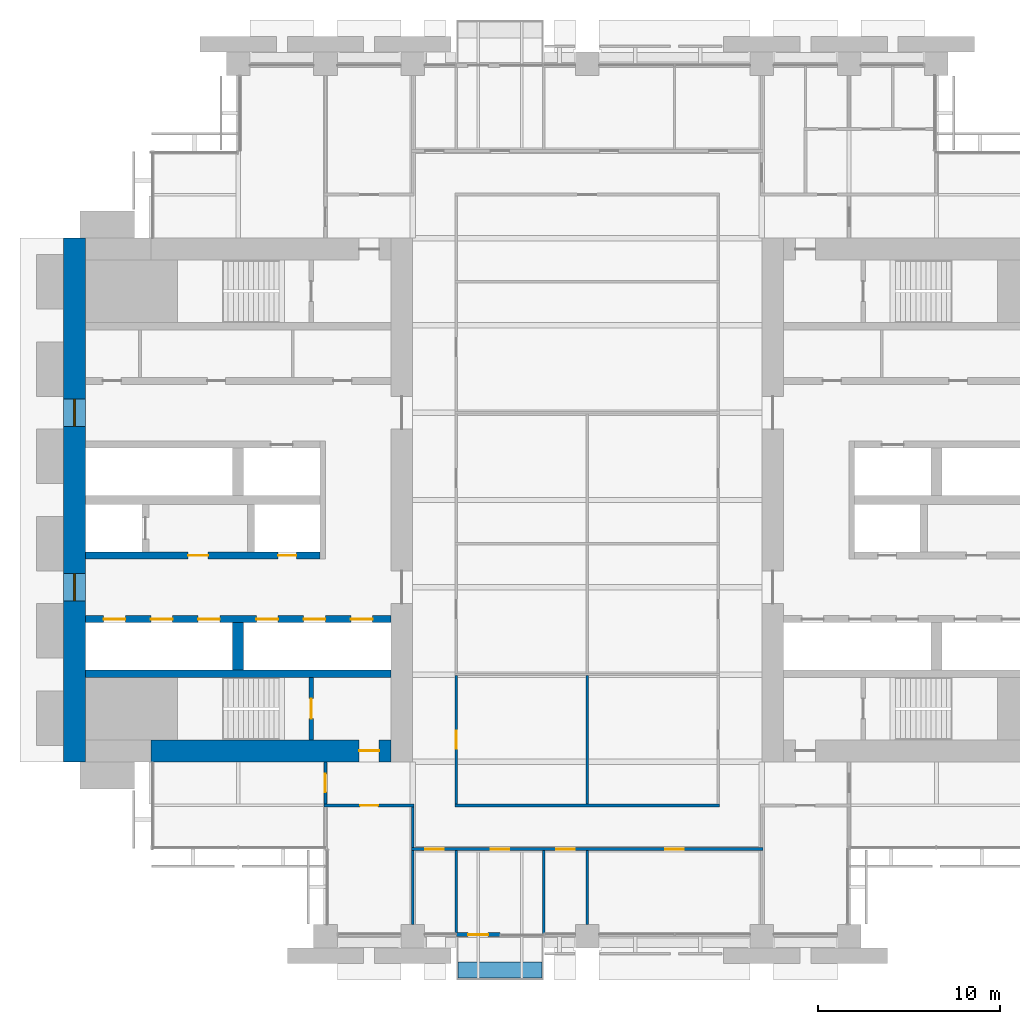
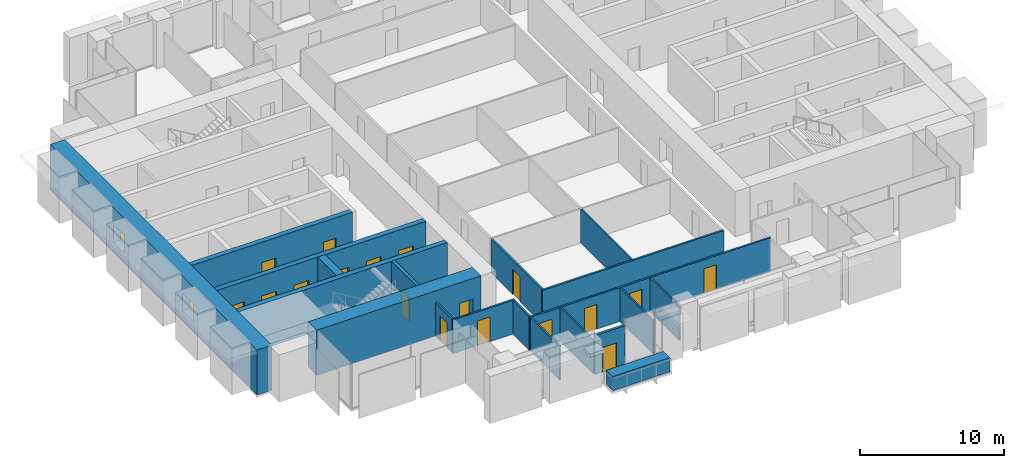
# One storey, part 9 of 15: 20 walls, 18 doors, 2 windows, 20 openings.
"""IFC4 building model written with IfcOpenShell, lengths in metres."""

import ifcopenshell
import ifcopenshell.guid

model = None  # the IFC model being written
_history = None  # IfcOwnerHistory: only IFC2X3 demands one
_inside = {}  # id of a spatial element -> (the spatial element, [elements in it])
_under = {}  # id of a project, library or spatial element -> (it, [spatial elements below it])
_declared = {}  # id of a project -> (the project, [libraries it declares])
_typed = {}  # id of a type object -> (the type object, [elements of that type])
_made_of = {}  # id of a material, layer set ... -> (it, [elements and type objects made of it])


def new_model(schema):
    """Start an empty IFC model of exactly this schema.

    Asked for "IFC4X3", IfcOpenShell would pick the latest addendum, in which some entities
    have other attributes; the version numbers below select the first issue.
    IFC2X3 requires an IfcOwnerHistory on every rooted entity: one is made here for all.
    """
    global model, _history
    if schema == "IFC4X3":
        model = ifcopenshell.file(schema_version=(4, 3, 0, 0))
    else:
        model = ifcopenshell.file(schema=schema)
    _inside.clear()
    _under.clear()
    _declared.clear()
    _typed.clear()
    _made_of.clear()
    _history = None
    if model.schema == "IFC2X3":
        org = make("IfcOrganization", Name="unknown")
        user = make(
            "IfcPersonAndOrganization",
            ThePerson=make("IfcPerson", FamilyName="unknown"),
            TheOrganization=org,
        )
        app = make(
            "IfcApplication",
            ApplicationDeveloper=org,
            Version="unknown",
            ApplicationFullName="unknown",
            ApplicationIdentifier="unknown",
        )
        _history = make(
            "IfcOwnerHistory",
            OwningUser=user,
            OwningApplication=app,
            ChangeAction="ADDED",
            CreationDate=0,
        )
    return model


def make(cls, **values):
    """One entity of the class cls with the attributes given. An attribute that is None is left unset."""
    return model.create_entity(
        cls, **{name: value for name, value in values.items() if value is not None}
    )


def rooted(cls, **values):
    """An entity with a GlobalId (a new one), such as an element, a storey or a relation."""
    return make(cls, GlobalId=ifcopenshell.guid.new(), OwnerHistory=_history, **values)


def si_unit(unit_type, name, prefix=None):
    """IfcSIUnit, for example si_unit("LENGTHUNIT", "METRE", prefix="MILLI")."""
    return make("IfcSIUnit", UnitType=unit_type, Prefix=prefix, Name=name)


def assignment(units):
    """IfcUnitAssignment: the units of a project."""
    return None if units is None else make("IfcUnitAssignment", Units=units)


def point(xyz):
    """IfcCartesianPoint."""
    return None if xyz is None else make("IfcCartesianPoint", Coordinates=xyz)


def direction(xyz):
    """IfcDirection."""
    return None if xyz is None else make("IfcDirection", DirectionRatios=xyz)


def frame(location, z_axis=None, x_axis=None):
    """IfcAxis2Placement3D, a coordinate frame: its origin and axes. An axis left out is left unset."""
    return make(
        "IfcAxis2Placement3D",
        Location=point(location),
        Axis=direction(z_axis),
        RefDirection=direction(x_axis),
    )


def frame_2d(location, x_axis=None):
    """IfcAxis2Placement2D, a coordinate frame in the plane: its origin and x axis."""
    return make(
        "IfcAxis2Placement2D", Location=point(location), RefDirection=direction(x_axis)
    )


def origin():
    """The frame at (0, 0, 0) with its axes left unset."""
    return frame((0.0, 0.0, 0.0))


def place(relative_to, where):
    """IfcLocalPlacement: puts the frame where relative to a parent placement (None: the world)."""
    return make(
        "IfcLocalPlacement", PlacementRelTo=relative_to, RelativePlacement=where
    )


def context(
    kind, dimensions, precision=None, world=None, true_north=None, identifier=None
):
    """IfcGeometricRepresentationContext, for example the 3D "Model" context."""
    return make(
        "IfcGeometricRepresentationContext",
        ContextIdentifier=identifier,
        ContextType=kind,
        CoordinateSpaceDimension=dimensions,
        Precision=precision,
        WorldCoordinateSystem=world,
        TrueNorth=true_north,
    )


def subcontext(parent, identifier, kind, view, scale=None):
    """IfcGeometricRepresentationSubContext, for example "Body" below "Model"."""
    return make(
        "IfcGeometricRepresentationSubContext",
        ContextIdentifier=identifier,
        ContextType=kind,
        ParentContext=parent,
        TargetScale=scale,
        TargetView=view,
    )


def project(units=None, contexts=None):
    """IfcProject with its units and contexts."""
    return rooted(
        "IfcProject",
        Name="project",
        RepresentationContexts=contexts,
        UnitsInContext=assignment(units),
    )


def spatial(cls, under=None, at=None, **own):
    """A site, building, storey or space (cls), placed at a placement, below another one or the project."""
    s = rooted(cls, ObjectPlacement=at, **own)
    if under is not None:
        _under.setdefault(under.id(), (under, []))[1].append(s)
    return s


def profile(cls, at=None, kind="AREA", **sizes):
    """A parametric profile (cls). Its sizes go by their IFC names, for example OverallWidth=200.0."""
    return make(cls, ProfileType=kind, Position=at, **sizes)


def rectangle(**sizes):
    """IfcRectangleProfileDef."""
    return profile("IfcRectangleProfileDef", **sizes)


def extrude(swept, where, along, depth):
    """IfcExtrudedAreaSolid: the profile swept, set in the frame where, extruded along a direction by depth."""
    return make(
        "IfcExtrudedAreaSolid",
        SweptArea=swept,
        Position=where,
        ExtrudedDirection=direction(along),
        Depth=depth,
    )


def shape(context_of_items, identifier, shape_type, items):
    """IfcShapeRepresentation: the items that make up one representation, for example the "Body"."""
    return make(
        "IfcShapeRepresentation",
        ContextOfItems=context_of_items,
        RepresentationIdentifier=identifier,
        RepresentationType=shape_type,
        Items=items,
    )


def material(Name=None, Category=None):
    """IfcMaterial."""
    return make("IfcMaterial", Name=Name, Category=Category)


def layer(
    of_material, thickness, ventilated=None, Name=None, Category=None, Priority=None
):
    """IfcMaterialLayer: one layer of a wall or slab, of a material (None: an air gap)."""
    return make(
        "IfcMaterialLayer",
        Material=of_material,
        LayerThickness=thickness,
        IsVentilated=ventilated,
        Name=Name,
        Category=Category,
        Priority=Priority,
    )


def layer_set(layers, Name=None):
    """IfcMaterialLayerSet."""
    return make("IfcMaterialLayerSet", MaterialLayers=layers, LayerSetName=Name)


def made_of(thing, what):
    """Note that an element or type object is made of a material, layer set ...; save() writes the relation."""
    if what is not None:
        _made_of.setdefault(what.id(), (what, []))[1].append(thing)
    return thing


def type_object(cls, material=None, **own):
    """A type object (cls), such as IfcWallType, which elements share."""
    return made_of(rooted(cls, **own), material)


def element(
    cls,
    number,
    at=None,
    inside=None,
    cuts=None,
    type_object=None,
    material=None,
    context=None,
    identifier="Body",
    shape_type=None,
    held_by="IfcProductDefinitionShape",
    body=None,
    shapes=None,
    **own,
):
    """One element of the class cls, such as IfcWall. Its Tag is "e" and its number.

    at: its placement. inside: the storey or other place that contains it. cuts: it is an
    opening in that element (IfcRelVoidsElement). A single representation is given by context,
    identifier, shape_type and body (its items); several are given by shapes. held_by: the class
    of the entity that holds the representations. save() writes the other relations.
    """
    e = rooted(cls, Tag="e%d" % number, ObjectPlacement=at, **own)
    if body is not None:
        shapes = [shape(context, identifier, shape_type, body)]
    if shapes is not None:
        e.Representation = make(held_by, Representations=shapes)
    if inside is not None:
        _inside.setdefault(inside.id(), (inside, []))[1].append(e)
    if cuts is not None:
        rooted(
            "IfcRelVoidsElement", RelatingBuildingElement=cuts, RelatedOpeningElement=e
        )
    if type_object is not None:
        _typed.setdefault(type_object.id(), (type_object, []))[1].append(e)
    return made_of(e, material)


def fill(opening, filler):
    """IfcRelFillsElement: the door or window that sits in an opening."""
    return rooted(
        "IfcRelFillsElement",
        RelatingOpeningElement=opening,
        RelatedBuildingElement=filler,
    )


def aggregate(whole, parts):
    """IfcRelAggregates: a whole, such as a stair, and the parts it consists of."""
    return rooted("IfcRelAggregates", RelatingObject=whole, RelatedObjects=parts)


def save(model, path):
    """Write the relations noted so far, then the file.

    IfcRelAggregates (storeys below a building ...), IfcRelContainedInSpatialStructure (elements
    in a storey), IfcRelDefinesByType, IfcRelAssociatesMaterial and IfcRelDeclares: one each for
    every whole, place, type object, material and project.
    """
    for whole, parts in _under.values():
        aggregate(whole, parts)
    for where, things in _inside.values():
        rooted(
            "IfcRelContainedInSpatialStructure",
            RelatedElements=things,
            RelatingStructure=where,
        )
    for kind, things in _typed.values():
        rooted("IfcRelDefinesByType", RelatedObjects=things, RelatingType=kind)
    for what, things in _made_of.values():
        rooted("IfcRelAssociatesMaterial", RelatedObjects=things, RelatingMaterial=what)
    for by, libraries in _declared.values():
        rooted("IfcRelDeclares", RelatingContext=by, RelatedDefinitions=libraries)
    model.write(path)


model = new_model("IFC4")

# Units and contexts
model_context = context("Model", 3, precision=1e-05, world=origin(), true_north=direction((0.0, 1.0)))
body_context = subcontext(model_context, "Body", "Model", "MODEL_VIEW")
ifc_project = project(units=[si_unit("LENGTHUNIT", "METRE"), si_unit("AREAUNIT", "SQUARE_METRE"), si_unit("VOLUMEUNIT", "CUBIC_METRE"), si_unit("PLANEANGLEUNIT", "RADIAN"), si_unit("MASSUNIT", "GRAM", prefix="KILO")], contexts=[model_context])

# Site, building, storey
site_placement = place(None, origin())
site = spatial("IfcSite", under=ifc_project, at=site_placement, CompositionType="ELEMENT")
building_placement = place(site_placement, origin())
building = spatial("IfcBuilding", under=site, at=building_placement, Name="Baori Bourse Tower", CompositionType="ELEMENT")
storey_placement = place(building_placement, frame((0.0, 0.0, 71.0)))
storey = spatial("IfcBuildingStorey", under=building, at=storey_placement, Name="L15", CompositionType="ELEMENT", Elevation=71.0)

# Wall, openings, windows
ifc_material_1 = material(Name="Concrete f'c 70 MPa", Category="concrete")
ifc_layer_1 = layer(ifc_material_1, 1.199951171875)
ifc_layer_set_1 = layer_set([ifc_layer_1], Name="Core wall 1200 f'c 70")
wall_type_1 = type_object("IfcWallType", Name="Core wall 1200 f'c 70", PredefinedType="SHEAR", material=ifc_layer_set_1)
wall_1_placement = place(storey_placement, frame((0.60009765625, 9.60009765625, 0.0), z_axis=(0.0, 0.0, 1.0), x_axis=(0.0, 1.0, 0.0)))
wall_1 = element("IfcWall", 1, at=wall_1_placement, inside=storey, type_object=wall_type_1, Name="Core wall W01", PredefinedType="SHEAR", context=body_context, shape_type="SweptSolid", body=[
    extrude(rectangle(XDim=28.7998046875, YDim=1.199951171875, at=frame_2d((14.39990234375, 0.0))), origin(), (0.0, 0.0, 1.0), 3.840087890625),
])
opening_1_placement = place(wall_1_placement, frame((8.85009765625, 0.0, 0.89990234375)))
opening_1 = element("IfcOpeningElement", 2, at=opening_1_placement, cuts=wall_1, Name="Opening L15-KW101", PredefinedType="OPENING", context=body_context, shape_type="SweptSolid", body=[
    extrude(rectangle(XDim=1.5, YDim=1.5, at=frame_2d((0.75, 0.75))), frame((0.0, 0.60986328125, 0.0), z_axis=(0.0, -1.0, 0.0), x_axis=(1.0, 0.0, 0.0)), (0.0, 0.0, 1.0), 1.219970703125),
])
opening_2_placement = place(wall_1_placement, frame((18.449951171875, 0.0, 0.89990234375)))
opening_2 = element("IfcOpeningElement", 3, at=opening_2_placement, cuts=wall_1, Name="Opening L15-KW102", PredefinedType="OPENING", context=body_context, shape_type="SweptSolid", body=[
    extrude(rectangle(XDim=1.5, YDim=1.5, at=frame_2d((0.75, 0.75))), frame((0.0, 0.60986328125, 0.0), z_axis=(0.0, -1.0, 0.0), x_axis=(1.0, 0.0, 0.0)), (0.0, 0.0, 1.0), 1.219970703125),
])
ifc_material_2 = material(Name="Pale anodised aluminium", Category="aluminium")
window_type = type_object("IfcWindowType", Name="Lobby window 1500 x 1500", PartitioningType="SINGLE_PANEL", PredefinedType="WINDOW", material=ifc_material_2)
window_1_placement = place(opening_1_placement, origin())
window_1 = element("IfcWindow", 4, at=window_1_placement, inside=storey, type_object=window_type, Name="Outer wall window W L15 1", OverallHeight=1.5, OverallWidth=1.5, PartitioningType="SINGLE_PANEL", PredefinedType="WINDOW", context=body_context, shape_type="SweptSolid", body=[
    extrude(rectangle(XDim=1.5, YDim=1.5, at=frame_2d((0.75, 0.75))), frame((0.0, 0.030029296875, 0.0), z_axis=(0.0, -1.0, 0.0), x_axis=(1.0, 0.0, 0.0)), (0.0, 0.0, 1.0), 0.06005859375),
])
fill(opening_1, window_1)
window_2_placement = place(opening_2_placement, origin())
window_2 = element("IfcWindow", 5, at=window_2_placement, inside=storey, type_object=window_type, Name="Outer wall window W L15 2", OverallHeight=1.5, OverallWidth=1.5, PartitioningType="SINGLE_PANEL", PredefinedType="WINDOW", context=body_context, shape_type="SweptSolid", body=[
    extrude(rectangle(XDim=1.5, YDim=1.5, at=frame_2d((0.75, 0.75))), frame((0.0, 0.030029296875, 0.0), z_axis=(0.0, -1.0, 0.0), x_axis=(1.0, 0.0, 0.0)), (0.0, 0.0, 1.0), 0.06005859375),
])
fill(opening_2, window_2)

# Wall, opening, door
wall_2_placement = place(storey_placement, frame((18.0, 10.199951171875, 0.0), z_axis=(0.0, 0.0, 1.0), x_axis=(-1.0, 0.0, 0.0)))
wall_2 = element("IfcWall", 6, at=wall_2_placement, inside=storey, type_object=wall_type_1, Name="Core wall W03", PredefinedType="SHEAR", context=body_context, shape_type="SweptSolid", body=[
    extrude(rectangle(XDim=13.199951171875, YDim=1.199951171875, at=frame_2d((6.60009765625, 0.0))), origin(), (0.0, 0.0, 1.0), 3.840087890625),
])
opening_3_placement = place(wall_2_placement, frame((0.64990234375, 0.0, 0.0)))
opening_3 = element("IfcOpeningElement", 7, at=opening_3_placement, cuts=wall_2, Name="Opening L15-D102", PredefinedType="OPENING", context=body_context, shape_type="SweptSolid", body=[
    extrude(rectangle(XDim=1.10009765625, YDim=2.10009765625, at=frame_2d((0.550048828125, 1.050048828125))), frame((0.0, 0.60986328125, 0.0), z_axis=(0.0, -1.0, 0.0), x_axis=(1.0, 0.0, 0.0)), (0.0, 0.0, 1.0), 1.219970703125),
])
ifc_material_3 = material(Name="Painted steel door", Category="steel")
door_type_1 = type_object("IfcDoorType", Name="Stair door 1100", OperationType="SINGLE_SWING_LEFT", PredefinedType="DOOR", material=ifc_material_3)
door_1_placement = place(opening_3_placement, origin())
door_1 = element("IfcDoor", 8, at=door_1_placement, inside=storey, type_object=door_type_1, Name="Stair vestibule door A W L15", OperationType="SINGLE_SWING_LEFT", OverallHeight=2.10009765625, OverallWidth=1.10009765625, PredefinedType="DOOR", context=body_context, shape_type="SweptSolid", body=[
    extrude(rectangle(XDim=1.10009765625, YDim=2.10009765625, at=frame_2d((0.550048828125, 1.050048828125))), frame((0.0, 0.02490234375, 0.0), z_axis=(0.0, -1.0, 0.0), x_axis=(1.0, 0.0, 0.0)), (0.0, 0.0, 1.0), 0.050048828125),
])
fill(opening_3, door_1)

# Wall, openings, doors
ifc_material_4 = material(Name="Gypsum board partition")
ifc_layer_2 = layer(ifc_material_4, 0.14990234375)
ifc_layer_set_2 = layer_set([ifc_layer_2], Name="Corridor partition 150")
wall_type_2 = type_object("IfcWallType", Name="Corridor partition 150", PredefinedType="PARTITIONING", material=ifc_layer_set_2)
wall_3_placement = place(storey_placement, frame((19.125, 4.800048828125, 0.0), z_axis=(0.0, 0.0, 1.0), x_axis=(1.0, 0.0, 0.0)))
wall_3 = element("IfcWall", 9, at=wall_3_placement, inside=storey, type_object=wall_type_2, Name="Partition", PredefinedType="PARTITIONING", context=body_context, shape_type="SweptSolid", body=[
    extrude(rectangle(XDim=19.35009765625, YDim=0.14990234375, at=frame_2d((9.675048828125, 0.0))), origin(), (0.0, 0.0, 1.0), 2.86962890625),
])
opening_4_placement = place(wall_3_placement, frame((0.77490234375, 0.0, 0.0)))
opening_4 = element("IfcOpeningElement", 10, at=opening_4_placement, cuts=wall_3, Name="Opening L15-D01", PredefinedType="OPENING", context=body_context, shape_type="SweptSolid", body=[
    extrude(rectangle(XDim=1.0, YDim=2.10009765625, at=frame_2d((0.5, 1.050048828125))), frame((0.0, 0.0849609375, 0.0), z_axis=(0.0, -1.0, 0.0), x_axis=(1.0, 0.0, 0.0)), (0.0, 0.0, 1.0), 0.169921875),
])
opening_5_placement = place(wall_3_placement, frame((4.375, 0.0, 0.0)))
opening_5 = element("IfcOpeningElement", 11, at=opening_5_placement, cuts=wall_3, Name="Opening L15-D02", PredefinedType="OPENING", context=body_context, shape_type="SweptSolid", body=[
    extrude(rectangle(XDim=1.0, YDim=2.10009765625, at=frame_2d((0.5, 1.050048828125))), frame((0.0, 0.0849609375, 0.0), z_axis=(0.0, -1.0, 0.0), x_axis=(1.0, 0.0, 0.0)), (0.0, 0.0, 1.0), 0.169921875),
])
opening_6_placement = place(wall_3_placement, frame((7.97509765625, 0.0, 0.0)))
opening_6 = element("IfcOpeningElement", 12, at=opening_6_placement, cuts=wall_3, Name="Opening L15-D03", PredefinedType="OPENING", context=body_context, shape_type="SweptSolid", body=[
    extrude(rectangle(XDim=1.0, YDim=2.10009765625, at=frame_2d((0.5, 1.050048828125))), frame((0.0, 0.0849609375, 0.0), z_axis=(0.0, -1.0, 0.0), x_axis=(1.0, 0.0, 0.0)), (0.0, 0.0, 1.0), 0.169921875),
])
opening_7_placement = place(wall_3_placement, frame((13.97509765625, 0.0, 0.0)))
opening_7 = element("IfcOpeningElement", 13, at=opening_7_placement, cuts=wall_3, Name="Opening L15-D04", PredefinedType="OPENING", context=body_context, shape_type="SweptSolid", body=[
    extrude(rectangle(XDim=1.0, YDim=2.10009765625, at=frame_2d((0.5, 1.050048828125))), frame((0.0, 0.0849609375, 0.0), z_axis=(0.0, -1.0, 0.0), x_axis=(1.0, 0.0, 0.0)), (0.0, 0.0, 1.0), 0.169921875),
])
ifc_material_5 = material(Name="Timber door leaf", Category="wood")
door_type_2 = type_object("IfcDoorType", Name="Door 1000 x 2100", OperationType="SINGLE_SWING_LEFT", PredefinedType="DOOR", material=ifc_material_5)
door_2_placement = place(opening_4_placement, origin())
door_2 = element("IfcDoor", 14, at=door_2_placement, inside=storey, type_object=door_type_2, Name="Door", OperationType="SINGLE_SWING_LEFT", OverallHeight=2.10009765625, OverallWidth=1.0, PredefinedType="DOOR", context=body_context, shape_type="SweptSolid", body=[
    extrude(rectangle(XDim=1.0, YDim=2.10009765625, at=frame_2d((0.5, 1.050048828125))), frame((0.0, 0.02490234375, 0.0), z_axis=(0.0, -1.0, 0.0), x_axis=(1.0, 0.0, 0.0)), (0.0, 0.0, 1.0), 0.050048828125),
])
fill(opening_4, door_2)
door_3_placement = place(opening_5_placement, origin())
door_3 = element("IfcDoor", 15, at=door_3_placement, inside=storey, type_object=door_type_2, Name="Door", OperationType="SINGLE_SWING_LEFT", OverallHeight=2.10009765625, OverallWidth=1.0, PredefinedType="DOOR", context=body_context, shape_type="SweptSolid", body=[
    extrude(rectangle(XDim=1.0, YDim=2.10009765625, at=frame_2d((0.5, 1.050048828125))), frame((0.0, 0.02490234375, 0.0), z_axis=(0.0, -1.0, 0.0), x_axis=(1.0, 0.0, 0.0)), (0.0, 0.0, 1.0), 0.050048828125),
])
fill(opening_5, door_3)
door_4_placement = place(opening_6_placement, origin())
door_4 = element("IfcDoor", 16, at=door_4_placement, inside=storey, type_object=door_type_2, Name="Door", OperationType="SINGLE_SWING_LEFT", OverallHeight=2.10009765625, OverallWidth=1.0, PredefinedType="DOOR", context=body_context, shape_type="SweptSolid", body=[
    extrude(rectangle(XDim=1.0, YDim=2.10009765625, at=frame_2d((0.5, 1.050048828125))), frame((0.0, 0.02490234375, 0.0), z_axis=(0.0, -1.0, 0.0), x_axis=(1.0, 0.0, 0.0)), (0.0, 0.0, 1.0), 0.050048828125),
])
fill(opening_6, door_4)
door_5_placement = place(opening_7_placement, origin())
door_5 = element("IfcDoor", 17, at=door_5_placement, inside=storey, type_object=door_type_2, Name="Door", OperationType="SINGLE_SWING_RIGHT", OverallHeight=2.10009765625, OverallWidth=1.0, PredefinedType="DOOR", context=body_context, shape_type="SweptSolid", body=[
    extrude(rectangle(XDim=1.0, YDim=2.10009765625, at=frame_2d((0.5, 1.050048828125))), frame((0.0, 0.02490234375, 0.0), z_axis=(0.0, -1.0, 0.0), x_axis=(1.0, 0.0, 0.0)), (0.0, 0.0, 1.0), 0.050048828125),
])
fill(opening_7, door_5)

# Wall, opening, door
wall_4_placement = place(storey_placement, frame((14.324951171875, 7.199951171875, 0.0), z_axis=(0.0, 0.0, 1.0), x_axis=(1.0, 0.0, 0.0)))
wall_4 = element("IfcWall", 18, at=wall_4_placement, inside=storey, type_object=wall_type_2, Name="Partition", PredefinedType="PARTITIONING", context=body_context, shape_type="SweptSolid", body=[
    extrude(rectangle(XDim=4.949951171875, YDim=0.14990234375, at=frame_2d((2.47509765625, 0.0))), origin(), (0.0, 0.0, 1.0), 2.86962890625),
])
opening_8_placement = place(wall_4_placement, frame((1.97509765625, 0.0, 0.0)))
opening_8 = element("IfcOpeningElement", 19, at=opening_8_placement, cuts=wall_4, Name="Opening L15-D05", PredefinedType="OPENING", context=body_context, shape_type="SweptSolid", body=[
    extrude(rectangle(XDim=1.0, YDim=2.10009765625, at=frame_2d((0.5, 1.050048828125))), frame((0.0, 0.0849609375, 0.0), z_axis=(0.0, -1.0, 0.0), x_axis=(1.0, 0.0, 0.0)), (0.0, 0.0, 1.0), 0.169921875),
])
door_6_placement = place(opening_8_placement, origin())
door_6 = element("IfcDoor", 20, at=door_6_placement, inside=storey, type_object=door_type_2, Name="Door", OperationType="SINGLE_SWING_RIGHT", OverallHeight=2.10009765625, OverallWidth=1.0, PredefinedType="DOOR", context=body_context, shape_type="SweptSolid", body=[
    extrude(rectangle(XDim=1.0, YDim=2.10009765625, at=frame_2d((0.5, 1.050048828125))), frame((0.0, 0.02490234375, 0.0), z_axis=(0.0, -1.0, 0.0), x_axis=(1.0, 0.0, 0.0)), (0.0, 0.0, 1.0), 0.050048828125),
])
fill(opening_8, door_6)

# Wall
wall_5_placement = place(storey_placement, frame((21.52490234375, 7.199951171875, 0.0), z_axis=(0.0, 0.0, 1.0), x_axis=(1.0, 0.0, 0.0)))
element("IfcWall", 21, at=wall_5_placement, inside=storey, type_object=wall_type_2, Name="Partition", PredefinedType="PARTITIONING", context=body_context, shape_type="SweptSolid", body=[
    extrude(rectangle(XDim=14.550048828125, YDim=0.14990234375, at=frame_2d((7.27490234375, 0.0))), origin(), (0.0, 0.0, 1.0), 2.86962890625),
])

# Wall, opening, door
wall_6_placement = place(storey_placement, frame((14.39990234375, 7.27490234375, 0.0), z_axis=(0.0, 0.0, 1.0), x_axis=(0.0, 1.0, 0.0)))
wall_6 = element("IfcWall", 22, at=wall_6_placement, inside=storey, type_object=wall_type_2, Name="Partition", PredefinedType="PARTITIONING", context=body_context, shape_type="SweptSolid", body=[
    extrude(rectangle(XDim=2.3251953125, YDim=0.14990234375, at=frame_2d((1.16259765625, 0.0))), origin(), (0.0, 0.0, 1.0), 2.86962890625),
])
opening_9_placement = place(wall_6_placement, frame((0.66259765625, 0.0, 0.0)))
opening_9 = element("IfcOpeningElement", 23, at=opening_9_placement, cuts=wall_6, Name="Opening L15-D17", PredefinedType="OPENING", context=body_context, shape_type="SweptSolid", body=[
    extrude(rectangle(XDim=1.0, YDim=2.10009765625, at=frame_2d((0.5, 1.050048828125))), frame((0.0, 0.0849609375, 0.0), z_axis=(0.0, -1.0, 0.0), x_axis=(1.0, 0.0, 0.0)), (0.0, 0.0, 1.0), 0.169921875),
])
door_7_placement = place(opening_9_placement, origin())
door_7 = element("IfcDoor", 24, at=door_7_placement, inside=storey, type_object=door_type_2, Name="Door", OperationType="SINGLE_SWING_RIGHT", OverallHeight=2.10009765625, OverallWidth=1.0, PredefinedType="DOOR", context=body_context, shape_type="SweptSolid", body=[
    extrude(rectangle(XDim=1.0, YDim=2.10009765625, at=frame_2d((0.5, 1.050048828125))), frame((0.0, 0.02490234375, 0.0), z_axis=(0.0, -1.0, 0.0), x_axis=(1.0, 0.0, 0.0)), (0.0, 0.0, 1.0), 0.050048828125),
])
fill(opening_9, door_7)

# Wall
wall_7_placement = place(storey_placement, frame((19.199951171875, 4.875, 0.0), z_axis=(0.0, 0.0, 1.0), x_axis=(0.0, 1.0, 0.0)))
element("IfcWall", 25, at=wall_7_placement, inside=storey, type_object=wall_type_2, Name="Partition", PredefinedType="PARTITIONING", context=body_context, shape_type="SweptSolid", body=[
    extrude(rectangle(XDim=2.25, YDim=0.14990234375, at=frame_2d((1.125, 0.0))), origin(), (0.0, 0.0, 1.0), 2.86962890625),
])

# Wall, opening, door
wall_8_placement = place(storey_placement, frame((21.60009765625, 7.27490234375, 0.0), z_axis=(0.0, 0.0, 1.0), x_axis=(0.0, 1.0, 0.0)))
wall_8 = element("IfcWall", 26, at=wall_8_placement, inside=storey, type_object=wall_type_2, Name="Partition", PredefinedType="PARTITIONING", context=body_context, shape_type="SweptSolid", body=[
    extrude(rectangle(XDim=7.0625, YDim=0.14990234375, at=frame_2d((3.53125, 0.0))), origin(), (0.0, 0.0, 1.0), 2.86962890625),
])
opening_10_placement = place(wall_8_placement, frame((3.03125, 0.0, 0.0)))
opening_10 = element("IfcOpeningElement", 27, at=opening_10_placement, cuts=wall_8, Name="Opening L15-D19", PredefinedType="OPENING", context=body_context, shape_type="SweptSolid", body=[
    extrude(rectangle(XDim=1.0, YDim=2.10009765625, at=frame_2d((0.5, 1.050048828125))), frame((0.0, 0.0849609375, 0.0), z_axis=(0.0, -1.0, 0.0), x_axis=(1.0, 0.0, 0.0)), (0.0, 0.0, 1.0), 0.169921875),
])
door_8_placement = place(opening_10_placement, origin())
door_8 = element("IfcDoor", 28, at=door_8_placement, inside=storey, type_object=door_type_2, Name="Door", OperationType="SINGLE_SWING_LEFT", OverallHeight=2.10009765625, OverallWidth=1.0, PredefinedType="DOOR", context=body_context, shape_type="SweptSolid", body=[
    extrude(rectangle(XDim=1.0, YDim=2.10009765625, at=frame_2d((0.5, 1.050048828125))), frame((0.0, 0.02490234375, 0.0), z_axis=(0.0, -1.0, 0.0), x_axis=(1.0, 0.0, 0.0)), (0.0, 0.0, 1.0), 0.050048828125),
])
fill(opening_10, door_8)

ifc_material_6 = material(Name="Pale anodised aluminium", Category="aluminium")
ifc_layer_3 = layer(ifc_material_6, 0.199951171875)
ifc_layer_set_3 = layer_set([ifc_layer_3], Name="EW1 External wall bay")
wall_type_3 = type_object("IfcWallType", Name="EW1 External wall bay", PredefinedType="SOLIDWALL", material=ifc_layer_set_3)
wall_9_placement = place(storey_placement, frame((21.60009765625, 0.10009765625, 0.0), z_axis=(0.0, 0.0, 1.0), x_axis=(1.0, 0.0, 0.0)))
wall_9 = element("IfcWall", 29, at=wall_9_placement, inside=storey, type_object=wall_type_3, Name="External wall bay L15 2", PredefinedType="SOLIDWALL", context=body_context, shape_type="SweptSolid", body=[
    extrude(rectangle(XDim=2.39990234375, YDim=0.199951171875, at=frame_2d((1.199951171875, 0.0))), origin(), (0.0, 0.0, 1.0), 3.314208984375),
])
opening_11_placement = place(wall_9_placement, frame((0.64990234375, 0.0, 0.0)))
opening_11 = element("IfcOpeningElement", 30, at=opening_11_placement, cuts=wall_9, Name="Opening L15-D92", PredefinedType="OPENING", context=body_context, shape_type="SweptSolid", body=[
    extrude(rectangle(XDim=1.10009765625, YDim=2.10009765625, at=frame_2d((0.550048828125, 1.050048828125))), frame((0.0, 0.10986328125, 0.0), z_axis=(0.0, -1.0, 0.0), x_axis=(1.0, 0.0, 0.0)), (0.0, 0.0, 1.0), 0.219970703125),
])
ifc_material_7 = material(Name="Pale anodised aluminium", Category="aluminium")
door_type_3 = type_object("IfcDoorType", Name="BL1 Balcony door", OperationType="SINGLE_SWING_LEFT", PredefinedType="DOOR", material=ifc_material_7)
door_9_placement = place(opening_11_placement, origin())
door_9 = element("IfcDoor", 31, at=door_9_placement, inside=storey, type_object=door_type_3, Name="Balcony door L15 2", OperationType="SINGLE_SWING_LEFT", OverallHeight=2.10009765625, OverallWidth=1.10009765625, PredefinedType="DOOR", context=body_context, shape_type="SweptSolid", body=[
    extrude(rectangle(XDim=1.10009765625, YDim=2.10009765625, at=frame_2d((0.550048828125, 1.050048828125))), frame((0.0, 0.02490234375, 0.0), z_axis=(0.0, -1.0, 0.0), x_axis=(1.0, 0.0, 0.0)), (0.0, 0.0, 1.0), 0.050048828125),
])
fill(opening_11, door_9)

# Walls
ifc_material_8 = material(Name="Concrete f'c 40 MPa", Category="concrete")
ifc_layer_4 = layer(ifc_material_8, 0.89990234375)
ifc_layer_set_4 = layer_set([ifc_layer_4], Name="PW1 Planter wall")
wall_type_4 = type_object("IfcWallType", Name="PW1 Planter wall", PredefinedType="USERDEFINED", material=ifc_layer_set_4)
wall_10_placement = place(storey_placement, frame((21.699951171875, -1.85009765625, 0.0), z_axis=(0.0, 0.0, 1.0), x_axis=(1.0, 0.0, 0.0)))
element("IfcWall", 32, at=wall_10_placement, inside=storey, type_object=wall_type_4, Name="Planter balcony S L15 1", ObjectType="PLANTER", PredefinedType="USERDEFINED", context=body_context, shape_type="SweptSolid", body=[
    extrude(rectangle(XDim=4.60009765625, YDim=0.89990234375, at=frame_2d((2.300048828125, 0.0))), origin(), (0.0, 0.0, 1.0), 1.199951171875),
])
ifc_material_9 = material(Name="Gypsum board partition")
ifc_layer_5 = layer(ifc_material_9, 0.125)
ifc_layer_set_5 = layer_set([ifc_layer_5], Name="Partition 125")
wall_type_5 = type_object("IfcWallType", Name="Partition 125", PredefinedType="PARTITIONING", material=ifc_layer_set_5)
wall_11_placement = place(storey_placement, frame((19.199951171875, 0.64990234375, 0.0), z_axis=(0.0, 0.0, 1.0), x_axis=(0.0, 1.0, 0.0)))
element("IfcWall", 33, at=wall_11_placement, inside=storey, type_object=wall_type_5, Name="Partition", PredefinedType="PARTITIONING", context=body_context, shape_type="SweptSolid", body=[
    extrude(rectangle(XDim=4.0751953125, YDim=0.125, at=frame_2d((2.03759765625, 0.0))), origin(), (0.0, 0.0, 1.0), 2.86962890625),
])
for number, where, z_axis, x_axis, name in (
    (34, (21.60009765625, 0.10009765625, 0.0), (0.0, 0.0, 1.0), (0.0, 1.0, 0.0), "Partition"),
    (35, (26.39990234375, 0.10009765625, 0.0), (0.0, 0.0, 1.0), (0.0, 1.0, 0.0), "Partition"),
):
    element("IfcWall", number, at=place(storey_placement, frame(where, z_axis=z_axis, x_axis=x_axis)), inside=storey, type_object=wall_type_5, Name=name, PredefinedType="PARTITIONING", context=body_context, shape_type="SweptSolid", body=[
        extrude(rectangle(XDim=4.625, YDim=0.125, at=frame_2d((2.3125, 0.0))), origin(), (0.0, 0.0, 1.0), 2.86962890625),
    ])
wall_12_placement = place(storey_placement, frame((28.800048828125, 0.64990234375, 0.0), z_axis=(0.0, 0.0, 1.0), x_axis=(0.0, 1.0, 0.0)))
element("IfcWall", 36, at=wall_12_placement, inside=storey, type_object=wall_type_5, Name="Partition", PredefinedType="PARTITIONING", context=body_context, shape_type="SweptSolid", body=[
    extrude(rectangle(XDim=4.0751953125, YDim=0.125, at=frame_2d((2.03759765625, 0.0))), origin(), (0.0, 0.0, 1.0), 2.86962890625),
])
wall_13_placement = place(storey_placement, frame((28.800048828125, 7.27490234375, 0.0), z_axis=(0.0, 0.0, 1.0), x_axis=(0.0, 1.0, 0.0)))
element("IfcWall", 37, at=wall_13_placement, inside=storey, type_object=wall_type_5, Name="Partition", PredefinedType="PARTITIONING", context=body_context, shape_type="SweptSolid", body=[
    extrude(rectangle(XDim=7.0625, YDim=0.125, at=frame_2d((3.53125, 0.0))), origin(), (0.0, 0.0, 1.0), 2.86962890625),
])

# Wall, opening, door
ifc_material_10 = material(Name="Concrete f'c 70 MPa", Category="concrete")
ifc_layer_6 = layer(ifc_material_10, 0.25)
ifc_layer_set_6 = layer_set([ifc_layer_6], Name="Shaft wall 250 f'c 70")
wall_type_6 = type_object("IfcWallType", Name="Shaft wall 250 f'c 70", PredefinedType="SHEAR", material=ifc_layer_set_6)
wall_14_placement = place(storey_placement, frame((13.625, 10.800048828125, 0.0), z_axis=(0.0, 0.0, 1.0), x_axis=(0.0, 1.0, 0.0)))
wall_14 = element("IfcWall", 38, at=wall_14_placement, inside=storey, type_object=wall_type_6, Name="Core wall W06", PredefinedType="SHEAR", context=body_context, shape_type="SweptSolid", body=[
    extrude(rectangle(XDim=3.449951171875, YDim=0.25, at=frame_2d((1.72509765625, 0.0))), origin(), (0.0, 0.0, 1.0), 3.840087890625),
])
opening_12_placement = place(wall_14_placement, frame((1.175048828125, 0.0, 0.0)))
opening_12 = element("IfcOpeningElement", 39, at=opening_12_placement, cuts=wall_14, Name="Opening L15-D101", PredefinedType="OPENING", context=body_context, shape_type="SweptSolid", body=[
    extrude(rectangle(XDim=1.10009765625, YDim=2.10009765625, at=frame_2d((0.550048828125, 1.050048828125))), frame((0.0, 0.135009765625, 0.0), z_axis=(0.0, -1.0, 0.0), x_axis=(1.0, 0.0, 0.0)), (0.0, 0.0, 1.0), 0.27001953125),
])
door_10_placement = place(opening_12_placement, origin())
door_10 = element("IfcDoor", 40, at=door_10_placement, inside=storey, type_object=door_type_1, Name="Stair door A W L15", OperationType="SINGLE_SWING_LEFT", OverallHeight=2.10009765625, OverallWidth=1.10009765625, PredefinedType="DOOR", context=body_context, shape_type="SweptSolid", body=[
    extrude(rectangle(XDim=1.10009765625, YDim=2.10009765625, at=frame_2d((0.550048828125, 1.050048828125))), frame((0.0, 0.02490234375, 0.0), z_axis=(0.0, -1.0, 0.0), x_axis=(1.0, 0.0, 0.0)), (0.0, 0.0, 1.0), 0.050048828125),
])
fill(opening_12, door_10)

# Wall
ifc_material_11 = material(Name="Concrete f'c 70 MPa", Category="concrete")
ifc_layer_7 = layer(ifc_material_11, 0.39990234375)
ifc_layer_set_7 = layer_set([ifc_layer_7], Name="Shaft wall 400 f'c 70")
wall_type_7 = type_object("IfcWallType", Name="Shaft wall 400 f'c 70", PredefinedType="SHEAR", material=ifc_layer_set_7)
wall_15_placement = place(storey_placement, frame((1.199951171875, 14.449951171875, 0.0), z_axis=(0.0, 0.0, 1.0), x_axis=(1.0, 0.0, 0.0)))
element("IfcWall", 41, at=wall_15_placement, inside=storey, type_object=wall_type_7, Name="Core wall W07", PredefinedType="SHEAR", context=body_context, shape_type="SweptSolid", body=[
    extrude(rectangle(XDim=16.800048828125, YDim=0.39990234375, at=frame_2d((8.39990234375, 0.0))), origin(), (0.0, 0.0, 1.0), 3.840087890625),
])

# Wall, openings, doors
wall_16_placement = place(storey_placement, frame((1.199951171875, 17.449951171875, 0.0), z_axis=(0.0, 0.0, 1.0), x_axis=(1.0, 0.0, 0.0)))
wall_16 = element("IfcWall", 42, at=wall_16_placement, inside=storey, type_object=wall_type_7, Name="Core wall W09", PredefinedType="SHEAR", context=body_context, shape_type="SweptSolid", body=[
    extrude(rectangle(XDim=16.800048828125, YDim=0.39990234375, at=frame_2d((8.39990234375, 0.0))), origin(), (0.0, 0.0, 1.0), 3.840087890625),
])
opening_13_placement = place(wall_16_placement, frame((1.0, 0.0, 0.0)))
opening_13 = element("IfcOpeningElement", 43, at=opening_13_placement, cuts=wall_16, Name="Opening L15-D112", PredefinedType="OPENING", context=body_context, shape_type="SweptSolid", body=[
    extrude(rectangle(XDim=1.199951171875, YDim=2.10009765625, at=frame_2d((0.60009765625, 1.050048828125))), frame((0.0, 0.2099609375, 0.0), z_axis=(0.0, -1.0, 0.0), x_axis=(1.0, 0.0, 0.0)), (0.0, 0.0, 1.0), 0.419921875),
])
opening_14_placement = place(wall_16_placement, frame((3.60009765625, 0.0, 0.0)))
opening_14 = element("IfcOpeningElement", 44, at=opening_14_placement, cuts=wall_16, Name="Opening L15-D113", PredefinedType="OPENING", context=body_context, shape_type="SweptSolid", body=[
    extrude(rectangle(XDim=1.199951171875, YDim=2.10009765625, at=frame_2d((0.60009765625, 1.050048828125))), frame((0.0, 0.2099609375, 0.0), z_axis=(0.0, -1.0, 0.0), x_axis=(1.0, 0.0, 0.0)), (0.0, 0.0, 1.0), 0.419921875),
])
opening_15_placement = place(wall_16_placement, frame((6.199951171875, 0.0, 0.0)))
opening_15 = element("IfcOpeningElement", 45, at=opening_15_placement, cuts=wall_16, Name="Opening L15-D114", PredefinedType="OPENING", context=body_context, shape_type="SweptSolid", body=[
    extrude(rectangle(XDim=1.199951171875, YDim=2.10009765625, at=frame_2d((0.60009765625, 1.050048828125))), frame((0.0, 0.2099609375, 0.0), z_axis=(0.0, -1.0, 0.0), x_axis=(1.0, 0.0, 0.0)), (0.0, 0.0, 1.0), 0.419921875),
])
opening_16_placement = place(wall_16_placement, frame((9.39990234375, 0.0, 0.0)))
opening_16 = element("IfcOpeningElement", 46, at=opening_16_placement, cuts=wall_16, Name="Opening L15-D115", PredefinedType="OPENING", context=body_context, shape_type="SweptSolid", body=[
    extrude(rectangle(XDim=1.199951171875, YDim=2.10009765625, at=frame_2d((0.60009765625, 1.050048828125))), frame((0.0, 0.2099609375, 0.0), z_axis=(0.0, -1.0, 0.0), x_axis=(1.0, 0.0, 0.0)), (0.0, 0.0, 1.0), 0.419921875),
])
opening_17_placement = place(wall_16_placement, frame((12.0, 0.0, 0.0)))
opening_17 = element("IfcOpeningElement", 47, at=opening_17_placement, cuts=wall_16, Name="Opening L15-D116", PredefinedType="OPENING", context=body_context, shape_type="SweptSolid", body=[
    extrude(rectangle(XDim=1.199951171875, YDim=2.10009765625, at=frame_2d((0.60009765625, 1.050048828125))), frame((0.0, 0.2099609375, 0.0), z_axis=(0.0, -1.0, 0.0), x_axis=(1.0, 0.0, 0.0)), (0.0, 0.0, 1.0), 0.419921875),
])
opening_18_placement = place(wall_16_placement, frame((14.60009765625, 0.0, 0.0)))
opening_18 = element("IfcOpeningElement", 48, at=opening_18_placement, cuts=wall_16, Name="Opening L15-D117", PredefinedType="OPENING", context=body_context, shape_type="SweptSolid", body=[
    extrude(rectangle(XDim=1.199951171875, YDim=2.10009765625, at=frame_2d((0.60009765625, 1.050048828125))), frame((0.0, 0.2099609375, 0.0), z_axis=(0.0, -1.0, 0.0), x_axis=(1.0, 0.0, 0.0)), (0.0, 0.0, 1.0), 0.419921875),
])
ifc_material_12 = material(Name="Stainless steel door", Category="steel")
door_type_4 = type_object("IfcDoorType", Name="Lift landing door", OperationType="DOUBLE_DOOR_SLIDING", PredefinedType="DOOR", material=ifc_material_12)
door_11_placement = place(opening_13_placement, origin())
door_11 = element("IfcDoor", 49, at=door_11_placement, inside=storey, type_object=door_type_4, Name="Lift landing door LR1 W L15", OperationType="DOUBLE_DOOR_SLIDING", OverallHeight=2.10009765625, OverallWidth=1.199951171875, PredefinedType="DOOR", context=body_context, shape_type="SweptSolid", body=[
    extrude(rectangle(XDim=1.199951171875, YDim=2.10009765625, at=frame_2d((0.60009765625, 1.050048828125))), frame((0.0, 0.02490234375, 0.0), z_axis=(0.0, -1.0, 0.0), x_axis=(1.0, 0.0, 0.0)), (0.0, 0.0, 1.0), 0.050048828125),
])
fill(opening_13, door_11)
door_12_placement = place(opening_14_placement, origin())
door_12 = element("IfcDoor", 50, at=door_12_placement, inside=storey, type_object=door_type_4, Name="Lift landing door LR2 W L15", OperationType="DOUBLE_DOOR_SLIDING", OverallHeight=2.10009765625, OverallWidth=1.199951171875, PredefinedType="DOOR", context=body_context, shape_type="SweptSolid", body=[
    extrude(rectangle(XDim=1.199951171875, YDim=2.10009765625, at=frame_2d((0.60009765625, 1.050048828125))), frame((0.0, 0.02490234375, 0.0), z_axis=(0.0, -1.0, 0.0), x_axis=(1.0, 0.0, 0.0)), (0.0, 0.0, 1.0), 0.050048828125),
])
fill(opening_14, door_12)
door_13_placement = place(opening_15_placement, origin())
door_13 = element("IfcDoor", 51, at=door_13_placement, inside=storey, type_object=door_type_4, Name="Lift landing door LR3 W L15", OperationType="DOUBLE_DOOR_SLIDING", OverallHeight=2.10009765625, OverallWidth=1.199951171875, PredefinedType="DOOR", context=body_context, shape_type="SweptSolid", body=[
    extrude(rectangle(XDim=1.199951171875, YDim=2.10009765625, at=frame_2d((0.60009765625, 1.050048828125))), frame((0.0, 0.02490234375, 0.0), z_axis=(0.0, -1.0, 0.0), x_axis=(1.0, 0.0, 0.0)), (0.0, 0.0, 1.0), 0.050048828125),
])
fill(opening_15, door_13)
door_14_placement = place(opening_16_placement, origin())
door_14 = element("IfcDoor", 52, at=door_14_placement, inside=storey, type_object=door_type_4, Name="Lift landing door LR4 W L15", OperationType="DOUBLE_DOOR_SLIDING", OverallHeight=2.10009765625, OverallWidth=1.199951171875, PredefinedType="DOOR", context=body_context, shape_type="SweptSolid", body=[
    extrude(rectangle(XDim=1.199951171875, YDim=2.10009765625, at=frame_2d((0.60009765625, 1.050048828125))), frame((0.0, 0.02490234375, 0.0), z_axis=(0.0, -1.0, 0.0), x_axis=(1.0, 0.0, 0.0)), (0.0, 0.0, 1.0), 0.050048828125),
])
fill(opening_16, door_14)
door_15_placement = place(opening_17_placement, origin())
door_15 = element("IfcDoor", 53, at=door_15_placement, inside=storey, type_object=door_type_4, Name="Lift landing door LR5 W L15", OperationType="DOUBLE_DOOR_SLIDING", OverallHeight=2.10009765625, OverallWidth=1.199951171875, PredefinedType="DOOR", context=body_context, shape_type="SweptSolid", body=[
    extrude(rectangle(XDim=1.199951171875, YDim=2.10009765625, at=frame_2d((0.60009765625, 1.050048828125))), frame((0.0, 0.02490234375, 0.0), z_axis=(0.0, -1.0, 0.0), x_axis=(1.0, 0.0, 0.0)), (0.0, 0.0, 1.0), 0.050048828125),
])
fill(opening_17, door_15)
door_16_placement = place(opening_18_placement, origin())
door_16 = element("IfcDoor", 54, at=door_16_placement, inside=storey, type_object=door_type_4, Name="Lift landing door LR6 W L15", OperationType="DOUBLE_DOOR_SLIDING", OverallHeight=2.10009765625, OverallWidth=1.199951171875, PredefinedType="DOOR", context=body_context, shape_type="SweptSolid", body=[
    extrude(rectangle(XDim=1.199951171875, YDim=2.10009765625, at=frame_2d((0.60009765625, 1.050048828125))), frame((0.0, 0.02490234375, 0.0), z_axis=(0.0, -1.0, 0.0), x_axis=(1.0, 0.0, 0.0)), (0.0, 0.0, 1.0), 0.050048828125),
])
fill(opening_18, door_16)

wall_17_placement = place(storey_placement, frame((1.199951171875, 20.949951171875, 0.0), z_axis=(0.0, 0.0, 1.0), x_axis=(1.0, 0.0, 0.0)))
wall_17 = element("IfcWall", 55, at=wall_17_placement, inside=storey, type_object=wall_type_7, Name="Core wall W10", PredefinedType="SHEAR", context=body_context, shape_type="SweptSolid", body=[
    extrude(rectangle(XDim=12.900146484375, YDim=0.39990234375, at=frame_2d((6.4501953125, 0.0))), origin(), (0.0, 0.0, 1.0), 3.840087890625),
])
opening_19_placement = place(wall_17_placement, frame((5.64990234375, 0.0, 0.0)))
opening_19 = element("IfcOpeningElement", 56, at=opening_19_placement, cuts=wall_17, Name="Opening L15-D105", PredefinedType="OPENING", context=body_context, shape_type="SweptSolid", body=[
    extrude(rectangle(XDim=1.10009765625, YDim=2.10009765625, at=frame_2d((0.550048828125, 1.050048828125))), frame((0.0, 0.2099609375, 0.0), z_axis=(0.0, -1.0, 0.0), x_axis=(1.0, 0.0, 0.0)), (0.0, 0.0, 1.0), 0.419921875),
])
opening_20_placement = place(wall_17_placement, frame((10.60009765625, 0.0, 0.0)))
opening_20 = element("IfcOpeningElement", 57, at=opening_20_placement, cuts=wall_17, Name="Opening L15-D106", PredefinedType="OPENING", context=body_context, shape_type="SweptSolid", body=[
    extrude(rectangle(XDim=1.0, YDim=2.10009765625, at=frame_2d((0.5, 1.050048828125))), frame((0.0, 0.2099609375, 0.0), z_axis=(0.0, -1.0, 0.0), x_axis=(1.0, 0.0, 0.0)), (0.0, 0.0, 1.0), 0.419921875),
])
ifc_material_13 = material(Name="Painted steel door", Category="steel")
door_type_5 = type_object("IfcDoorType", Name="Lobby door 1100", OperationType="SINGLE_SWING_LEFT", PredefinedType="DOOR", material=ifc_material_13)
door_17_placement = place(opening_19_placement, origin())
door_17 = element("IfcDoor", 58, at=door_17_placement, inside=storey, type_object=door_type_5, Name="Firefighting lobby door W L15", OperationType="SINGLE_SWING_LEFT", OverallHeight=2.10009765625, OverallWidth=1.10009765625, PredefinedType="DOOR", context=body_context, shape_type="SweptSolid", body=[
    extrude(rectangle(XDim=1.10009765625, YDim=2.10009765625, at=frame_2d((0.550048828125, 1.050048828125))), frame((0.0, 0.02490234375, 0.0), z_axis=(0.0, -1.0, 0.0), x_axis=(1.0, 0.0, 0.0)), (0.0, 0.0, 1.0), 0.050048828125),
])
fill(opening_19, door_17)
ifc_material_14 = material(Name="Painted steel door", Category="steel")
door_type_6 = type_object("IfcDoorType", Name="Shaft door 1000", OperationType="SINGLE_SWING_LEFT", PredefinedType="DOOR", material=ifc_material_14)
door_18_placement = place(opening_20_placement, origin())
door_18 = element("IfcDoor", 59, at=door_18_placement, inside=storey, type_object=door_type_6, Name="Riser room door W L15", OperationType="SINGLE_SWING_LEFT", OverallHeight=2.10009765625, OverallWidth=1.0, PredefinedType="DOOR", context=body_context, shape_type="SweptSolid", body=[
    extrude(rectangle(XDim=1.0, YDim=2.10009765625, at=frame_2d((0.5, 1.050048828125))), frame((0.0, 0.02490234375, 0.0), z_axis=(0.0, -1.0, 0.0), x_axis=(1.0, 0.0, 0.0)), (0.0, 0.0, 1.0), 0.050048828125),
])
fill(opening_20, door_18)

# Wall
ifc_material_15 = material(Name="Concrete f'c 70 MPa", Category="concrete")
ifc_layer_8 = layer(ifc_material_15, 0.60009765625)
ifc_layer_set_8 = layer_set([ifc_layer_8], Name="Shaft wall 600 f'c 70")
wall_type_8 = type_object("IfcWallType", Name="Shaft wall 600 f'c 70", PredefinedType="SHEAR", material=ifc_layer_set_8)
wall_18_placement = place(storey_placement, frame((9.60009765625, 14.64990234375, 0.0), z_axis=(0.0, 0.0, 1.0), x_axis=(0.0, 1.0, 0.0)))
element("IfcWall", 60, at=wall_18_placement, inside=storey, type_object=wall_type_8, Name="Core wall W08", PredefinedType="SHEAR", context=body_context, shape_type="SweptSolid", body=[
    extrude(rectangle(XDim=2.60009765625, YDim=0.60009765625, at=frame_2d((1.300048828125, 0.0))), origin(), (0.0, 0.0, 1.0), 3.840087890625),
])

save(model, "model.ifc")
